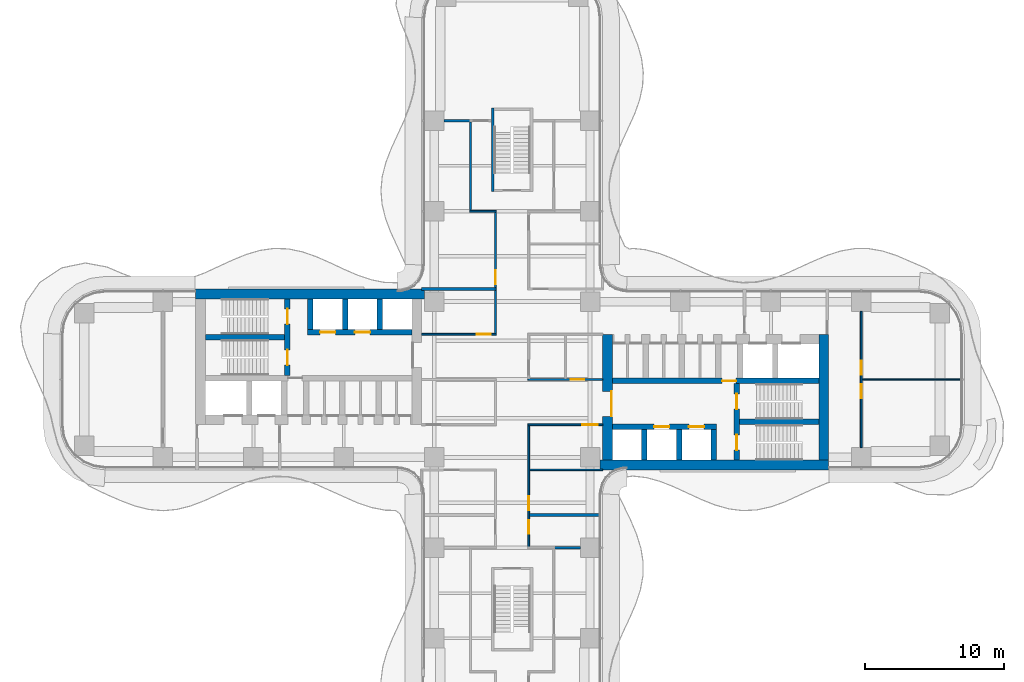
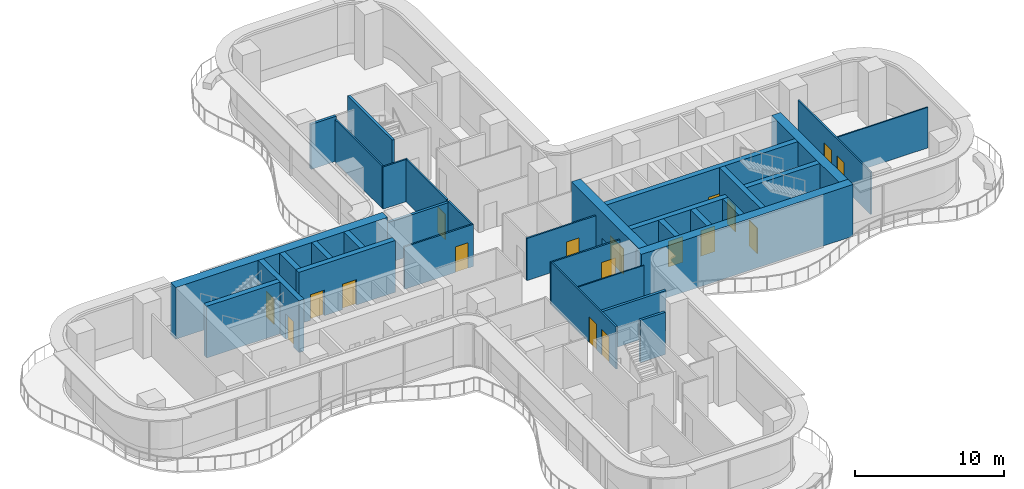
# One storey, part 18 of 22: 33 walls, 18 doors, 18 openings.
"""IFC4 building model written with IfcOpenShell, lengths in metres."""

from ifc_helpers import new_model, si_unit, direction, frame, frame_2d, origin, place, context, subcontext, project, spatial, rectangle, extrude, source, transform, mapped, material, layer, layer_set, type_object, element, fill, save


model = new_model("IFC4")

# Units and contexts
model_context = context("Model", 3, precision=1e-05, world=origin(), true_north=direction((0.0, 1.0)))
body_context = subcontext(model_context, "Body", "Model", "MODEL_VIEW")
ifc_project = project(units=[si_unit("LENGTHUNIT", "METRE"), si_unit("AREAUNIT", "SQUARE_METRE"), si_unit("VOLUMEUNIT", "CUBIC_METRE"), si_unit("PLANEANGLEUNIT", "RADIAN"), si_unit("MASSUNIT", "GRAM", prefix="KILO")], contexts=[model_context])

# Site, building, storey
site_placement = place(None, origin())
site = spatial("IfcSite", under=ifc_project, at=site_placement, CompositionType="ELEMENT")
building_placement = place(site_placement, origin())
building = spatial("IfcBuilding", under=site, at=building_placement, Name="Trellis Farm Tower", CompositionType="ELEMENT")
storey_placement = place(building_placement, frame((0.0, 0.0, 52.0)))
storey = spatial("IfcBuildingStorey", under=building, at=storey_placement, Name="L10", CompositionType="ELEMENT", Elevation=52.0)

# Wall, opening, door
ifc_material_1 = material(Name="Concrete C80/95", Category="concrete")
ifc_layer_1 = layer(ifc_material_1, 0.699951171875)
ifc_layer_set_1 = layer_set([ifc_layer_1], Name="CORE OUTER WALL 700 CONCRETE C80/95")
wall_type_1 = type_object("IfcWallType", Name="CORE OUTER WALL 700 CONCRETE C80/95", PredefinedType="SHEAR", material=ifc_layer_set_1)
shared_shape_1 = source(origin(), body_context, "Body", "SweptSolid", [
    extrude(rectangle(XDim=9.050048828125, YDim=0.699951171875, at=frame_2d((4.52490234375, 0.0))), origin(), (0.0, 0.0, 1.0), 4.25),
])
wall_1_placement = place(storey_placement, frame((6.85009765625, -5.800048828125, 0.0), z_axis=(0.0, 0.0, 1.0), x_axis=(0.0, 1.0, 0.0)))
wall_1 = element("IfcWall", 1, at=wall_1_placement, inside=storey, type_object=wall_type_1, Name="Core wall", PredefinedType="SHEAR", context=body_context, shape_type="MappedRepresentation", body=[
    mapped(shared_shape_1, transform((0.0, 0.0, 0.0))),
])
shared_shape_2 = source(origin(), body_context, "Body", "SweptSolid", [
    extrude(rectangle(XDim=1.800048828125, YDim=2.10009765625, at=frame_2d((0.89990234375, 1.050048828125))), frame((0.0, 0.360107421875, 0.0), z_axis=(0.0, -1.0, 0.0), x_axis=(1.0, 0.0, 0.0)), (0.0, 0.0, 1.0), 0.72021484375),
])
opening_1_placement = place(wall_1_placement, frame((3.14990234375, 0.0, 0.0)))
opening_1 = element("IfcOpeningElement", 2, at=opening_1_placement, cuts=wall_1, Name="Opening DC1", PredefinedType="OPENING", context=body_context, shape_type="MappedRepresentation", body=[
    mapped(shared_shape_2, transform((0.0, 0.0, 0.0))),
])
ifc_material_2 = material(Name="Steel", Category="steel")
door_type_1 = type_object("IfcDoorType", Name="CORE FIRE DOOR DOUBLE 1800 X 2100", OperationType="DOUBLE_DOOR_SINGLE_SWING", PredefinedType="DOOR", material=ifc_material_2)
shared_shape_3 = source(origin(), body_context, "Body", "SweptSolid", [
    extrude(rectangle(XDim=1.800048828125, YDim=2.10009765625, at=frame_2d((0.89990234375, 1.050048828125))), frame((0.0, -0.27490234375, 0.0), z_axis=(0.0, -1.0, 0.0), x_axis=(1.0, 0.0, 0.0)), (0.0, 0.0, 1.0), 0.050048828125),
])
door_1_placement = place(opening_1_placement, origin())
door_1 = element("IfcDoor", 3, at=door_1_placement, inside=storey, type_object=door_type_1, Name="Core door", OperationType="DOUBLE_DOOR_SINGLE_SWING", OverallHeight=2.10009765625, OverallWidth=1.800048828125, PredefinedType="DOOR", context=body_context, shape_type="MappedRepresentation", body=[
    mapped(shared_shape_3, transform((0.0, 0.0, 0.0))),
])
fill(opening_1, door_1)

# Walls
wall_2_placement = place(storey_placement, frame((22.39990234375, -5.800048828125, 0.0), z_axis=(0.0, 0.0, 1.0), x_axis=(0.0, 1.0, 0.0)))
element("IfcWall", 4, at=wall_2_placement, inside=storey, type_object=wall_type_1, Name="Core wall", PredefinedType="SHEAR", context=body_context, shape_type="MappedRepresentation", body=[
    mapped(shared_shape_1, transform((0.0, 0.0, 0.0))),
])
ifc_layer_2 = layer(ifc_material_1, 0.39990234375)
ifc_layer_set_2 = layer_set([ifc_layer_2], Name="CORE INNER WALL 400 CONCRETE C80/95")
wall_type_2 = type_object("IfcWallType", Name="CORE INNER WALL 400 CONCRETE C80/95", PredefinedType="SHEAR", material=ifc_layer_set_2)
shared_shape_4 = source(origin(), body_context, "Body", "SweptSolid", [
    extrude(rectangle(XDim=2.199951171875, YDim=0.39990234375, at=frame_2d((1.10009765625, 0.0))), origin(), (0.0, 0.0, 1.0), 4.25),
])
for number, where, z_axis, x_axis, name in (
    (5, (9.5, -5.800048828125, 0.0), (0.0, 0.0, 1.0), (0.0, 1.0, 0.0), "Core wall"),
    (6, (12.0, -5.800048828125, 0.0), (0.0, 0.0, 1.0), (0.0, 1.0, 0.0), "Core wall"),
    (7, (14.5, -5.800048828125, 0.0), (0.0, 0.0, 1.0), (0.0, 1.0, 0.0), "Core wall"),
    (8, (-9.5, 5.800048828125, 0.0), (0.0, 0.0, 1.0), (0.0, -1.0, 0.0), "Core wall"),
    (9, (-12.0, 5.800048828125, 0.0), (0.0, 0.0, 1.0), (0.0, -1.0, 0.0), "Core wall"),
    (10, (-14.5, 5.800048828125, 0.0), (0.0, 0.0, 1.0), (0.0, -1.0, 0.0), "Core wall"),
):
    element("IfcWall", number, at=place(storey_placement, frame(where, z_axis=z_axis, x_axis=x_axis)), inside=storey, type_object=wall_type_2, Name=name, PredefinedType="SHEAR", context=body_context, shape_type="MappedRepresentation", body=[
        mapped(shared_shape_4, transform((0.0, 0.0, 0.0))),
    ])
shared_shape_5 = source(origin(), body_context, "Body", "SweptSolid", [
    extrude(rectangle(XDim=16.449951171875, YDim=0.699951171875, at=frame_2d((8.22509765625, 0.0))), origin(), (0.0, 0.0, 1.0), 4.25),
])
for number, where, z_axis, x_axis, name in (
    (11, (6.300048828125, -6.14990234375, 0.0), (0.0, 0.0, 1.0), (1.0, 0.0, 0.0), "Core wall"),
    (12, (-6.300048828125, 6.14990234375, 0.0), (0.0, 0.0, 1.0), (-1.0, 0.0, 0.0), "Core wall"),
):
    element("IfcWall", number, at=place(storey_placement, frame(where, z_axis=z_axis, x_axis=x_axis)), inside=storey, type_object=wall_type_1, Name=name, PredefinedType="SHEAR", context=body_context, shape_type="MappedRepresentation", body=[
        mapped(shared_shape_5, transform((0.0, 0.0, 0.0))),
    ])

# Wall, openings, doors
shared_shape_6 = source(origin(), body_context, "Body", "SweptSolid", [
    extrude(rectangle(XDim=7.5, YDim=0.39990234375, at=frame_2d((3.75, 0.0))), origin(), (0.0, 0.0, 1.0), 4.25),
])
wall_3_placement = place(storey_placement, frame((7.199951171875, -3.39990234375, 0.0), z_axis=(0.0, 0.0, 1.0), x_axis=(1.0, 0.0, 0.0)))
wall_3 = element("IfcWall", 13, at=wall_3_placement, inside=storey, type_object=wall_type_2, Name="Core wall", PredefinedType="SHEAR", context=body_context, shape_type="MappedRepresentation", body=[
    mapped(shared_shape_6, transform((0.0, 0.0, 0.0))),
])
shared_shape_7 = source(origin(), body_context, "Body", "SweptSolid", [
    extrude(rectangle(XDim=1.10009765625, YDim=2.10009765625, at=frame_2d((0.550048828125, 1.050048828125))), frame((0.0, 0.2099609375, 0.0), z_axis=(0.0, -1.0, 0.0), x_axis=(1.0, 0.0, 0.0)), (0.0, 0.0, 1.0), 0.419921875),
])
opening_2_placement = place(wall_3_placement, frame((3.0, 0.0, 0.0)))
opening_2 = element("IfcOpeningElement", 14, at=opening_2_placement, cuts=wall_3, Name="Opening LD2", PredefinedType="OPENING", context=body_context, shape_type="MappedRepresentation", body=[
    mapped(shared_shape_7, transform((0.0, 0.0, 0.0))),
])
opening_3_placement = place(wall_3_placement, frame((5.5, 0.0, 0.0)))
opening_3 = element("IfcOpeningElement", 15, at=opening_3_placement, cuts=wall_3, Name="Opening LD3", PredefinedType="OPENING", context=body_context, shape_type="MappedRepresentation", body=[
    mapped(shared_shape_7, transform((0.0, 0.0, 0.0))),
])
ifc_material_3 = material(Name="Stainless steel", Category="steel")
door_type_2 = type_object("IfcDoorType", Name="LIFT LANDING DOOR 1100 X 2100", OperationType="DOUBLE_DOOR_SLIDING", PredefinedType="DOOR", material=ifc_material_3)
shared_shape_8 = source(origin(), body_context, "Body", "SweptSolid", [
    extrude(rectangle(XDim=1.10009765625, YDim=2.10009765625, at=frame_2d((0.550048828125, 1.050048828125))), frame((0.0, 0.02490234375, 0.0), z_axis=(0.0, -1.0, 0.0), x_axis=(1.0, 0.0, 0.0)), (0.0, 0.0, 1.0), 0.050048828125),
])
door_2_placement = place(opening_2_placement, origin())
door_2 = element("IfcDoor", 16, at=door_2_placement, inside=storey, type_object=door_type_2, Name="Lift landing door", OperationType="DOUBLE_DOOR_SLIDING", OverallHeight=2.10009765625, OverallWidth=1.10009765625, PredefinedType="DOOR", context=body_context, shape_type="MappedRepresentation", body=[
    mapped(shared_shape_8, transform((0.0, 0.0, 0.0))),
])
fill(opening_2, door_2)
door_3_placement = place(opening_3_placement, origin())
door_3 = element("IfcDoor", 17, at=door_3_placement, inside=storey, type_object=door_type_2, Name="Lift landing door", OperationType="DOUBLE_DOOR_SLIDING", OverallHeight=2.10009765625, OverallWidth=1.10009765625, PredefinedType="DOOR", context=body_context, shape_type="MappedRepresentation", body=[
    mapped(shared_shape_8, transform((0.0, 0.0, 0.0))),
])
fill(opening_3, door_3)

wall_4_placement = place(storey_placement, frame((-7.199951171875, 3.39990234375, 0.0), z_axis=(0.0, 0.0, 1.0), x_axis=(-1.0, 0.0, 0.0)))
wall_4 = element("IfcWall", 18, at=wall_4_placement, inside=storey, type_object=wall_type_2, Name="Core wall", PredefinedType="SHEAR", context=body_context, shape_type="MappedRepresentation", body=[
    mapped(shared_shape_6, transform((0.0, 0.0, 0.0))),
])
opening_4_placement = place(wall_4_placement, frame((3.0, 0.0, 0.0)))
opening_4 = element("IfcOpeningElement", 19, at=opening_4_placement, cuts=wall_4, Name="Opening LD10", PredefinedType="OPENING", context=body_context, shape_type="MappedRepresentation", body=[
    mapped(shared_shape_7, transform((0.0, 0.0, 0.0))),
])
opening_5_placement = place(wall_4_placement, frame((5.5, 0.0, 0.0)))
opening_5 = element("IfcOpeningElement", 20, at=opening_5_placement, cuts=wall_4, Name="Opening LD11", PredefinedType="OPENING", context=body_context, shape_type="MappedRepresentation", body=[
    mapped(shared_shape_7, transform((0.0, 0.0, 0.0))),
])
door_4_placement = place(opening_4_placement, origin())
door_4 = element("IfcDoor", 21, at=door_4_placement, inside=storey, type_object=door_type_2, Name="Lift landing door", OperationType="DOUBLE_DOOR_SLIDING", OverallHeight=2.10009765625, OverallWidth=1.10009765625, PredefinedType="DOOR", context=body_context, shape_type="MappedRepresentation", body=[
    mapped(shared_shape_8, transform((0.0, 0.0, 0.0))),
])
fill(opening_4, door_4)
door_5_placement = place(opening_5_placement, origin())
door_5 = element("IfcDoor", 22, at=door_5_placement, inside=storey, type_object=door_type_2, Name="Lift landing door", OperationType="DOUBLE_DOOR_SLIDING", OverallHeight=2.10009765625, OverallWidth=1.10009765625, PredefinedType="DOOR", context=body_context, shape_type="MappedRepresentation", body=[
    mapped(shared_shape_8, transform((0.0, 0.0, 0.0))),
])
fill(opening_5, door_5)

# Wall, opening, door
shared_shape_9 = source(origin(), body_context, "Body", "SweptSolid", [
    extrude(rectangle(XDim=14.85009765625, YDim=0.39990234375, at=frame_2d((7.425048828125, 0.0))), origin(), (0.0, 0.0, 1.0), 4.25),
])
wall_5_placement = place(storey_placement, frame((7.199951171875, -0.10009765625, 0.0), z_axis=(0.0, 0.0, 1.0), x_axis=(1.0, 0.0, 0.0)))
wall_5 = element("IfcWall", 23, at=wall_5_placement, inside=storey, type_object=wall_type_2, Name="Core wall", PredefinedType="SHEAR", context=body_context, shape_type="MappedRepresentation", body=[
    mapped(shared_shape_9, transform((0.0, 0.0, 0.0))),
])
shared_shape_10 = source(origin(), body_context, "Body", "SweptSolid", [
    extrude(rectangle(XDim=1.0, YDim=2.10009765625, at=frame_2d((0.5, 1.050048828125))), frame((0.0, 0.2099609375, 0.0), z_axis=(0.0, -1.0, 0.0), x_axis=(1.0, 0.0, 0.0)), (0.0, 0.0, 1.0), 0.419921875),
])
opening_6_placement = place(wall_5_placement, frame((7.89990234375, 0.0, 0.0)))
opening_6 = element("IfcOpeningElement", 24, at=opening_6_placement, cuts=wall_5, Name="Opening DC5", PredefinedType="OPENING", context=body_context, shape_type="MappedRepresentation", body=[
    mapped(shared_shape_10, transform((0.0, 0.0, 0.0))),
])
door_type_3 = type_object("IfcDoorType", Name="CORE FIRE DOOR 1000 X 2100", OperationType="NOTDEFINED", PredefinedType="DOOR", material=ifc_material_2)
shared_shape_11 = source(origin(), body_context, "Body", "SweptSolid", [
    extrude(rectangle(XDim=1.0, YDim=2.10009765625, at=frame_2d((0.5, 1.050048828125))), frame((0.0, 0.02490234375, 0.0), z_axis=(0.0, -1.0, 0.0), x_axis=(1.0, 0.0, 0.0)), (0.0, 0.0, 1.0), 0.050048828125),
])
door_6_placement = place(opening_6_placement, origin())
door_6 = element("IfcDoor", 25, at=door_6_placement, inside=storey, type_object=door_type_3, Name="Core door", OperationType="SINGLE_SWING_RIGHT", OverallHeight=2.10009765625, OverallWidth=1.0, PredefinedType="DOOR", context=body_context, shape_type="MappedRepresentation", body=[
    mapped(shared_shape_11, transform((0.0, 0.0, 0.0))),
])
fill(opening_6, door_6)

# Wall, openings, doors
shared_shape_12 = source(origin(), body_context, "Body", "SweptSolid", [
    extrude(rectangle(XDim=5.5, YDim=0.39990234375, at=frame_2d((2.75, 0.0))), origin(), (0.0, 0.0, 1.0), 4.25),
])
wall_6_placement = place(storey_placement, frame((16.14990234375, -5.800048828125, 0.0), z_axis=(0.0, 0.0, 1.0), x_axis=(0.0, 1.0, 0.0)))
wall_6 = element("IfcWall", 26, at=wall_6_placement, inside=storey, type_object=wall_type_2, Name="Core wall", PredefinedType="SHEAR", context=body_context, shape_type="MappedRepresentation", body=[
    mapped(shared_shape_12, transform((0.0, 0.0, 0.0))),
])
opening_7_placement = place(wall_6_placement, frame((0.72509765625, 0.0, 0.0)))
opening_7 = element("IfcOpeningElement", 27, at=opening_7_placement, cuts=wall_6, Name="Opening DC2", PredefinedType="OPENING", context=body_context, shape_type="MappedRepresentation", body=[
    mapped(shared_shape_7, transform((0.0, 0.0, 0.0))),
])
opening_8_placement = place(wall_6_placement, frame((3.675048828125, 0.0, 0.0)))
opening_8 = element("IfcOpeningElement", 28, at=opening_8_placement, cuts=wall_6, Name="Opening DC3", PredefinedType="OPENING", context=body_context, shape_type="MappedRepresentation", body=[
    mapped(shared_shape_7, transform((0.0, 0.0, 0.0))),
])
door_type_4 = type_object("IfcDoorType", Name="CORE FIRE DOOR 1100 X 2100", OperationType="NOTDEFINED", PredefinedType="DOOR", material=ifc_material_2)
door_7_placement = place(opening_7_placement, origin())
door_7 = element("IfcDoor", 29, at=door_7_placement, inside=storey, type_object=door_type_4, Name="Core door", OperationType="SINGLE_SWING_RIGHT", OverallHeight=2.10009765625, OverallWidth=1.10009765625, PredefinedType="DOOR", context=body_context, shape_type="MappedRepresentation", body=[
    mapped(shared_shape_8, transform((0.0, 0.0, 0.0))),
])
fill(opening_7, door_7)
door_8_placement = place(opening_8_placement, origin())
door_8 = element("IfcDoor", 30, at=door_8_placement, inside=storey, type_object=door_type_4, Name="Core door", OperationType="SINGLE_SWING_LEFT", OverallHeight=2.10009765625, OverallWidth=1.10009765625, PredefinedType="DOOR", context=body_context, shape_type="MappedRepresentation", body=[
    mapped(shared_shape_8, transform((0.0, 0.0, 0.0))),
])
fill(opening_8, door_8)

wall_7_placement = place(storey_placement, frame((-16.14990234375, 5.800048828125, 0.0), z_axis=(0.0, 0.0, 1.0), x_axis=(0.0, -1.0, 0.0)))
wall_7 = element("IfcWall", 31, at=wall_7_placement, inside=storey, type_object=wall_type_2, Name="Core wall", PredefinedType="SHEAR", context=body_context, shape_type="MappedRepresentation", body=[
    mapped(shared_shape_12, transform((0.0, 0.0, 0.0))),
])
opening_9_placement = place(wall_7_placement, frame((0.72509765625, 0.0, 0.0)))
opening_9 = element("IfcOpeningElement", 32, at=opening_9_placement, cuts=wall_7, Name="Opening DC88", PredefinedType="OPENING", context=body_context, shape_type="MappedRepresentation", body=[
    mapped(shared_shape_7, transform((0.0, 0.0, 0.0))),
])
opening_10_placement = place(wall_7_placement, frame((3.675048828125, 0.0, 0.0)))
opening_10 = element("IfcOpeningElement", 33, at=opening_10_placement, cuts=wall_7, Name="Opening DC89", PredefinedType="OPENING", context=body_context, shape_type="MappedRepresentation", body=[
    mapped(shared_shape_7, transform((0.0, 0.0, 0.0))),
])
door_9_placement = place(opening_9_placement, origin())
door_9 = element("IfcDoor", 34, at=door_9_placement, inside=storey, type_object=door_type_4, Name="Core door", OperationType="SINGLE_SWING_RIGHT", OverallHeight=2.10009765625, OverallWidth=1.10009765625, PredefinedType="DOOR", context=body_context, shape_type="MappedRepresentation", body=[
    mapped(shared_shape_8, transform((0.0, 0.0, 0.0))),
])
fill(opening_9, door_9)
door_10_placement = place(opening_10_placement, origin())
door_10 = element("IfcDoor", 35, at=door_10_placement, inside=storey, type_object=door_type_4, Name="Core door", OperationType="SINGLE_SWING_LEFT", OverallHeight=2.10009765625, OverallWidth=1.10009765625, PredefinedType="DOOR", context=body_context, shape_type="MappedRepresentation", body=[
    mapped(shared_shape_8, transform((0.0, 0.0, 0.0))),
])
fill(opening_10, door_10)

# Walls
shared_shape_13 = source(origin(), body_context, "Body", "SweptSolid", [
    extrude(rectangle(XDim=5.699951171875, YDim=0.39990234375, at=frame_2d((2.85009765625, 0.0))), origin(), (0.0, 0.0, 1.0), 4.25),
])
for number, where, z_axis, x_axis, name in (
    (36, (16.35009765625, -3.050048828125, 0.0), (0.0, 0.0, 1.0), (1.0, 0.0, 0.0), "Core wall"),
    (37, (-16.35009765625, 3.050048828125, 0.0), (0.0, 0.0, 1.0), (-1.0, 0.0, 0.0), "Core wall"),
):
    element("IfcWall", number, at=place(storey_placement, frame(where, z_axis=z_axis, x_axis=x_axis)), inside=storey, type_object=wall_type_2, Name=name, PredefinedType="SHEAR", context=body_context, shape_type="MappedRepresentation", body=[
        mapped(shared_shape_13, transform((0.0, 0.0, 0.0))),
    ])
ifc_layer_3 = layer(ifc_material_1, 0.199951171875)
ifc_layer_set_3 = layer_set([ifc_layer_3], Name="CORE STAIR ENCLOSURE WALL 200 CONCRETE C80/95")
wall_type_3 = type_object("IfcWallType", Name="CORE STAIR ENCLOSURE WALL 200 CONCRETE C80/95", PredefinedType="SHEAR", material=ifc_layer_set_3)
shared_shape_14 = source(origin(), body_context, "Body", "SweptSolid", [
    extrude(rectangle(XDim=6.0, YDim=0.199951171875, at=frame_2d((3.0, 0.0))), origin(), (0.0, 0.0, 1.0), 4.25),
])
wall_8_placement = place(storey_placement, frame((-1.39990234375, 13.5, 0.0), z_axis=(0.0, 0.0, 1.0), x_axis=(0.0, 1.0, 0.0)))
element("IfcWall", 38, at=wall_8_placement, inside=storey, type_object=wall_type_3, Name="Stair enclosure wall", PredefinedType="SHEAR", context=body_context, shape_type="MappedRepresentation", body=[
    mapped(shared_shape_14, transform((0.0, 0.0, 0.0))),
])

# Wall, openings, doors
ifc_material_4 = material(Name="Plasterboard on steel studs, mineral wool", Category="steel")
ifc_layer_4 = layer(ifc_material_4, 0.125)
ifc_layer_set_4 = layer_set([ifc_layer_4], Name="PARTITION 125 STUD EI 60")
wall_type_4 = type_object("IfcWallType", Name="PARTITION 125 STUD EI 60", PredefinedType="PARTITIONING", material=ifc_layer_set_4)
shared_shape_15 = source(origin(), body_context, "Body", "SweptSolid", [
    extrude(rectangle(XDim=9.7998046875, YDim=0.125, at=frame_2d((4.89990234375, 0.0))), origin(), (0.0, 0.0, 1.0), 3.4677734375),
])
wall_9_placement = place(storey_placement, frame((25.10009765625, 4.89990234375, 0.0), z_axis=(0.0, 0.0, 1.0), x_axis=(0.0, -1.0, 0.0)))
wall_9 = element("IfcWall", 39, at=wall_9_placement, inside=storey, type_object=wall_type_4, Name="Partition PW1", PredefinedType="PARTITIONING", context=body_context, shape_type="MappedRepresentation", body=[
    mapped(shared_shape_15, transform((0.0, 0.0, 0.0))),
])
shared_shape_16 = source(origin(), body_context, "Body", "SweptSolid", [
    extrude(rectangle(XDim=1.0, YDim=2.10009765625, at=frame_2d((0.5, 1.050048828125))), frame((0.0, 0.072509765625, 0.0), z_axis=(0.0, -1.0, 0.0), x_axis=(1.0, 0.0, 0.0)), (0.0, 0.0, 1.0), 0.14501953125),
])
opening_11_placement = place(wall_9_placement, frame((5.25, 0.0, 0.0)))
opening_11 = element("IfcOpeningElement", 40, at=opening_11_placement, cuts=wall_9, Name="Opening D108", PredefinedType="OPENING", context=body_context, shape_type="MappedRepresentation", body=[
    mapped(shared_shape_16, transform((0.0, 0.0, 0.0))),
])
opening_12_placement = place(wall_9_placement, frame((3.550048828125, 0.0, 0.0)))
opening_12 = element("IfcOpeningElement", 41, at=opening_12_placement, cuts=wall_9, Name="Opening D111", PredefinedType="OPENING", context=body_context, shape_type="MappedRepresentation", body=[
    mapped(shared_shape_16, transform((0.0, 0.0, 0.0))),
])
ifc_material_5 = material(Name="Fire-rated timber door leaf in a hollow metal frame", Category="wood")
door_type_5 = type_object("IfcDoorType", Name="DOOR 1000x2100 FD30S", OperationType="NOTDEFINED", PredefinedType="DOOR", material=ifc_material_5)
door_11_placement = place(opening_11_placement, origin())
door_11 = element("IfcDoor", 42, at=door_11_placement, inside=storey, type_object=door_type_5, Name="Door D108", OperationType="SINGLE_SWING_LEFT", OverallHeight=2.10009765625, OverallWidth=1.0, PredefinedType="DOOR", context=body_context, shape_type="MappedRepresentation", body=[
    mapped(shared_shape_11, transform((0.0, 0.0, 0.0))),
])
fill(opening_11, door_11)
door_12_placement = place(opening_12_placement, origin())
door_12 = element("IfcDoor", 43, at=door_12_placement, inside=storey, type_object=door_type_5, Name="Door D111", OperationType="SINGLE_SWING_RIGHT", OverallHeight=2.10009765625, OverallWidth=1.0, PredefinedType="DOOR", context=body_context, shape_type="MappedRepresentation", body=[
    mapped(shared_shape_11, transform((0.0, 0.0, 0.0))),
])
fill(opening_12, door_12)

# Wall
shared_shape_17 = source(origin(), body_context, "Body", "SweptSolid", [
    extrude(rectangle(XDim=1.925048828125, YDim=0.125, at=frame_2d((0.96240234375, 0.0))), origin(), (0.0, 0.0, 1.0), 3.4677734375),
])
wall_10_placement = place(storey_placement, frame((-1.137451171875, 12.10009765625, 0.0), z_axis=(0.0, 0.0, 1.0), x_axis=(-1.0, 0.0, 0.0)))
element("IfcWall", 44, at=wall_10_placement, inside=storey, type_object=wall_type_4, Name="Partition PW1", PredefinedType="PARTITIONING", context=body_context, shape_type="MappedRepresentation", body=[
    mapped(shared_shape_17, transform((0.0, 0.0, 0.0))),
])

# Wall, opening, door
shared_shape_18 = source(origin(), body_context, "Body", "SweptSolid", [
    extrude(rectangle(XDim=5.362548828125, YDim=0.125, at=frame_2d((2.68115234375, 0.0))), origin(), (0.0, 0.0, 1.0), 3.4677734375),
])
wall_11_placement = place(storey_placement, frame((6.5, -3.25, 0.0), z_axis=(0.0, 0.0, 1.0), x_axis=(-1.0, 0.0, 0.0)))
wall_11 = element("IfcWall", 45, at=wall_11_placement, inside=storey, type_object=wall_type_4, Name="Partition PW1", PredefinedType="PARTITIONING", context=body_context, shape_type="MappedRepresentation", body=[
    mapped(shared_shape_18, transform((0.0, 0.0, 0.0))),
])
shared_shape_19 = source(origin(), body_context, "Body", "SweptSolid", [
    extrude(rectangle(XDim=1.10009765625, YDim=2.10009765625, at=frame_2d((0.550048828125, 1.050048828125))), frame((0.0, 0.072509765625, 0.0), z_axis=(0.0, -1.0, 0.0), x_axis=(1.0, 0.0, 0.0)), (0.0, 0.0, 1.0), 0.14501953125),
])
opening_13_placement = place(wall_11_placement, frame((0.35009765625, 0.0, 0.0)))
opening_13 = element("IfcOpeningElement", 46, at=opening_13_placement, cuts=wall_11, Name="Opening D501", PredefinedType="OPENING", context=body_context, shape_type="MappedRepresentation", body=[
    mapped(shared_shape_19, transform((0.0, 0.0, 0.0))),
])
door_type_6 = type_object("IfcDoorType", Name="DOOR 1100x2100 FD30S", OperationType="NOTDEFINED", PredefinedType="DOOR", material=ifc_material_5)
door_13_placement = place(opening_13_placement, origin())
door_13 = element("IfcDoor", 47, at=door_13_placement, inside=storey, type_object=door_type_6, Name="Door D501", OperationType="SINGLE_SWING_LEFT", OverallHeight=2.10009765625, OverallWidth=1.10009765625, PredefinedType="DOOR", context=body_context, shape_type="MappedRepresentation", body=[
    mapped(shared_shape_8, transform((0.0, 0.0, 0.0))),
])
fill(opening_13, door_13)

wall_12_placement = place(storey_placement, frame((6.5, 0.0, 0.0), z_axis=(0.0, 0.0, 1.0), x_axis=(-1.0, 0.0, 0.0)))
wall_12 = element("IfcWall", 48, at=wall_12_placement, inside=storey, type_object=wall_type_4, Name="Partition PW1", PredefinedType="PARTITIONING", context=body_context, shape_type="MappedRepresentation", body=[
    mapped(shared_shape_18, transform((0.0, 0.0, 0.0))),
])
opening_14_placement = place(wall_12_placement, frame((1.300048828125, 0.0, 0.0)))
opening_14 = element("IfcOpeningElement", 49, at=opening_14_placement, cuts=wall_12, Name="Opening D109", PredefinedType="OPENING", context=body_context, shape_type="MappedRepresentation", body=[
    mapped(shared_shape_16, transform((0.0, 0.0, 0.0))),
])
door_14_placement = place(opening_14_placement, origin())
door_14 = element("IfcDoor", 50, at=door_14_placement, inside=storey, type_object=door_type_5, Name="Door D109", OperationType="SINGLE_SWING_RIGHT", OverallHeight=2.10009765625, OverallWidth=1.0, PredefinedType="DOOR", context=body_context, shape_type="MappedRepresentation", body=[
    mapped(shared_shape_11, transform((0.0, 0.0, 0.0))),
])
fill(opening_14, door_14)

wall_13_placement = place(storey_placement, frame((-6.5, 3.25, 0.0), z_axis=(0.0, 0.0, 1.0), x_axis=(1.0, 0.0, 0.0)))
wall_13 = element("IfcWall", 51, at=wall_13_placement, inside=storey, type_object=wall_type_4, Name="Partition PW1", PredefinedType="PARTITIONING", context=body_context, shape_type="MappedRepresentation", body=[
    mapped(shared_shape_18, transform((0.0, 0.0, 0.0))),
])
opening_15_placement = place(wall_13_placement, frame((3.949951171875, 0.0, 0.0)))
opening_15 = element("IfcOpeningElement", 52, at=opening_15_placement, cuts=wall_13, Name="Opening D112", PredefinedType="OPENING", context=body_context, shape_type="MappedRepresentation", body=[
    mapped(shared_shape_16, transform((0.0, 0.0, 0.0))),
])
door_15_placement = place(opening_15_placement, origin())
door_15 = element("IfcDoor", 53, at=door_15_placement, inside=storey, type_object=door_type_5, Name="Door D112", OperationType="SINGLE_SWING_RIGHT", OverallHeight=2.10009765625, OverallWidth=1.0, PredefinedType="DOOR", context=body_context, shape_type="MappedRepresentation", body=[
    mapped(shared_shape_11, transform((0.0, 0.0, 0.0))),
])
fill(opening_15, door_15)

# Wall
ifc_material_6 = material(Name="Lightweight blockwork, plastered", Category="masonry")
ifc_layer_5 = layer(ifc_material_6, 0.199951171875)
ifc_layer_set_5 = layer_set([ifc_layer_5], Name="BLOCK WALL 200 EI 120")
wall_type_5 = type_object("IfcWallType", Name="BLOCK WALL 200 EI 120", PredefinedType="PARTITIONING", material=ifc_layer_set_5)
shared_shape_20 = source(origin(), body_context, "Body", "SweptSolid", [
    extrude(rectangle(XDim=1.96240234375, YDim=0.199951171875, at=frame_2d((0.981201171875, 0.0))), origin(), (0.0, 0.0, 1.0), 3.4677734375),
])
wall_14_placement = place(storey_placement, frame((2.9375, -12.10009765625, 0.0), z_axis=(0.0, 0.0, 1.0), x_axis=(1.0, 0.0, 0.0)))
element("IfcWall", 54, at=wall_14_placement, inside=storey, type_object=wall_type_5, Name="Partition PW3", PredefinedType="PARTITIONING", context=body_context, shape_type="MappedRepresentation", body=[
    mapped(shared_shape_20, transform((0.0, 0.0, 0.0))),
])

# Wall, openings, doors
shared_shape_21 = source(origin(), body_context, "Body", "SweptSolid", [
    extrude(rectangle(XDim=8.72509765625, YDim=0.125, at=frame_2d((4.362548828125, 0.0))), origin(), (0.0, 0.0, 1.0), 3.4677734375),
])
wall_15_placement = place(storey_placement, frame((1.199951171875, -3.3125, 0.0), z_axis=(0.0, 0.0, 1.0), x_axis=(0.0, -1.0, 0.0)))
wall_15 = element("IfcWall", 55, at=wall_15_placement, inside=storey, type_object=wall_type_4, Name="Partition PW1", PredefinedType="PARTITIONING", context=body_context, shape_type="MappedRepresentation", body=[
    mapped(shared_shape_21, transform((0.0, 0.0, 0.0))),
])
opening_16_placement = place(wall_15_placement, frame((6.78759765625, 0.0, 0.0)))
opening_16 = element("IfcOpeningElement", 56, at=opening_16_placement, cuts=wall_15, Name="Opening D103", PredefinedType="OPENING", context=body_context, shape_type="MappedRepresentation", body=[
    mapped(shared_shape_16, transform((0.0, 0.0, 0.0))),
])
opening_17_placement = place(wall_15_placement, frame((5.08740234375, 0.0, 0.0)))
opening_17 = element("IfcOpeningElement", 57, at=opening_17_placement, cuts=wall_15, Name="Opening D104", PredefinedType="OPENING", context=body_context, shape_type="MappedRepresentation", body=[
    mapped(shared_shape_16, transform((0.0, 0.0, 0.0))),
])
door_16_placement = place(opening_16_placement, origin())
door_16 = element("IfcDoor", 58, at=door_16_placement, inside=storey, type_object=door_type_5, Name="Door D103", OperationType="SINGLE_SWING_LEFT", OverallHeight=2.10009765625, OverallWidth=1.0, PredefinedType="DOOR", context=body_context, shape_type="MappedRepresentation", body=[
    mapped(shared_shape_11, transform((0.0, 0.0, 0.0))),
])
fill(opening_16, door_16)
door_17_placement = place(opening_17_placement, origin())
door_17 = element("IfcDoor", 59, at=door_17_placement, inside=storey, type_object=door_type_5, Name="Door D104", OperationType="SINGLE_SWING_RIGHT", OverallHeight=2.10009765625, OverallWidth=1.0, PredefinedType="DOOR", context=body_context, shape_type="MappedRepresentation", body=[
    mapped(shared_shape_11, transform((0.0, 0.0, 0.0))),
])
fill(opening_17, door_17)

# Walls
ifc_material_7 = material(Name="Plasterboard on steel studs", Category="steel")
ifc_layer_6 = layer(ifc_material_7, 0.10009765625)
ifc_layer_set_6 = layer_set([ifc_layer_6], Name="PARTITION 100 STUD EI 30")
wall_type_6 = type_object("IfcWallType", Name="PARTITION 100 STUD EI 30", PredefinedType="PARTITIONING", material=ifc_layer_set_6)
shared_shape_22 = source(origin(), body_context, "Body", "SweptSolid", [
    extrude(rectangle(XDim=7.137451171875, YDim=0.10009765625, at=frame_2d((3.56884765625, 0.0))), origin(), (0.0, 0.0, 1.0), 3.330078125),
])
wall_16_placement = place(storey_placement, frame((25.16259765625, 0.0, 0.0), z_axis=(0.0, 0.0, 1.0), x_axis=(1.0, 0.0, 0.0)))
element("IfcWall", 60, at=wall_16_placement, inside=storey, type_object=wall_type_6, Name="Partition PW2", PredefinedType="PARTITIONING", context=body_context, shape_type="MappedRepresentation", body=[
    mapped(shared_shape_22, transform((0.0, 0.0, 0.0))),
])
shared_shape_23 = source(origin(), body_context, "Body", "SweptSolid", [
    extrude(rectangle(XDim=1.96240234375, YDim=0.199951171875, at=frame_2d((0.981201171875, 0.0))), origin(), (0.0, 0.0, 1.0), 3.69677734375),
])
wall_17_placement = place(storey_placement, frame((-4.89990234375, 18.60009765625, 0.0), z_axis=(0.0, 0.0, 1.0), x_axis=(1.0, 0.0, 0.0)))
element("IfcWall", 61, at=wall_17_placement, inside=storey, type_object=wall_type_5, Name="Partition PW3", PredefinedType="PARTITIONING", context=body_context, shape_type="MappedRepresentation", body=[
    mapped(shared_shape_23, transform((0.0, 0.0, 0.0))),
])
shared_shape_24 = source(origin(), body_context, "Body", "SweptSolid", [
    extrude(rectangle(XDim=5.03759765625, YDim=0.199951171875, at=frame_2d((2.518798828125, 0.0))), origin(), (0.0, 0.0, 1.0), 3.330078125),
])
wall_18_placement = place(storey_placement, frame((1.262451171875, -9.75, 0.0), z_axis=(0.0, 0.0, 1.0), x_axis=(1.0, 0.0, 0.0)))
element("IfcWall", 62, at=wall_18_placement, inside=storey, type_object=wall_type_5, Name="Partition PW3", PredefinedType="PARTITIONING", context=body_context, shape_type="MappedRepresentation", body=[
    mapped(shared_shape_24, transform((0.0, 0.0, 0.0))),
])
shared_shape_25 = source(origin(), body_context, "Body", "SweptSolid", [
    extrude(rectangle(XDim=6.33740234375, YDim=0.125, at=frame_2d((3.168701171875, 0.0))), origin(), (0.0, 0.0, 1.0), 3.4677734375),
])
wall_19_placement = place(storey_placement, frame((-3.0, 12.16259765625, 0.0), z_axis=(0.0, 0.0, 1.0), x_axis=(0.0, 1.0, 0.0)))
element("IfcWall", 63, at=wall_19_placement, inside=storey, type_object=wall_type_4, Name="Partition PW1", PredefinedType="PARTITIONING", context=body_context, shape_type="MappedRepresentation", body=[
    mapped(shared_shape_25, transform((0.0, 0.0, 0.0))),
])
shared_shape_26 = source(origin(), body_context, "Body", "SweptSolid", [
    extrude(rectangle(XDim=3.08740234375, YDim=0.125, at=frame_2d((1.543701171875, 0.0))), origin(), (0.0, 0.0, 1.0), 3.4677734375),
])
wall_20_placement = place(storey_placement, frame((-1.199951171875, 6.39990234375, 0.0), z_axis=(0.0, 0.0, 1.0), x_axis=(0.0, -1.0, 0.0)))
element("IfcWall", 64, at=wall_20_placement, inside=storey, type_object=wall_type_4, Name="Partition PW1", PredefinedType="PARTITIONING", context=body_context, shape_type="MappedRepresentation", body=[
    mapped(shared_shape_26, transform((0.0, 0.0, 0.0))),
])

# Wall, opening, door
shared_shape_27 = source(origin(), body_context, "Body", "SweptSolid", [
    extrude(rectangle(XDim=5.4375, YDim=0.125, at=frame_2d((2.71875, 0.0))), origin(), (0.0, 0.0, 1.0), 3.4677734375),
])
wall_21_placement = place(storey_placement, frame((-1.199951171875, 6.60009765625, 0.0), z_axis=(0.0, 0.0, 1.0), x_axis=(0.0, 1.0, 0.0)))
wall_21 = element("IfcWall", 65, at=wall_21_placement, inside=storey, type_object=wall_type_4, Name="Partition PW1", PredefinedType="PARTITIONING", context=body_context, shape_type="MappedRepresentation", body=[
    mapped(shared_shape_27, transform((0.0, 0.0, 0.0))),
])
opening_18_placement = place(wall_21_placement, frame((0.25, 0.0, 0.0)))
opening_18 = element("IfcOpeningElement", 66, at=opening_18_placement, cuts=wall_21, Name="Opening D302", PredefinedType="OPENING", context=body_context, shape_type="MappedRepresentation", body=[
    mapped(shared_shape_16, transform((0.0, 0.0, 0.0))),
])
door_type_7 = type_object("IfcDoorType", Name="DOOR 1000x2100 FD60", OperationType="NOTDEFINED", PredefinedType="DOOR", material=ifc_material_5)
door_18_placement = place(opening_18_placement, origin())
door_18 = element("IfcDoor", 67, at=door_18_placement, inside=storey, type_object=door_type_7, Name="Door D302", OperationType="SINGLE_SWING_LEFT", OverallHeight=2.10009765625, OverallWidth=1.0, PredefinedType="DOOR", context=body_context, shape_type="MappedRepresentation", body=[
    mapped(shared_shape_11, transform((0.0, 0.0, 0.0))),
])
fill(opening_18, door_18)

# Walls
shared_shape_28 = source(origin(), body_context, "Body", "SweptSolid", [
    extrude(rectangle(XDim=5.237548828125, YDim=0.10009765625, at=frame_2d((2.61865234375, 0.0))), origin(), (0.0, 0.0, 1.0), 3.330078125),
])
wall_22_placement = place(storey_placement, frame((1.262451171875, -6.5, 0.0), z_axis=(0.0, 0.0, 1.0), x_axis=(1.0, 0.0, 0.0)))
element("IfcWall", 68, at=wall_22_placement, inside=storey, type_object=wall_type_6, Name="Partition PW2", PredefinedType="PARTITIONING", context=body_context, shape_type="MappedRepresentation", body=[
    mapped(shared_shape_28, transform((0.0, 0.0, 0.0))),
])
shared_shape_29 = source(origin(), body_context, "Body", "SweptSolid", [
    extrude(rectangle(XDim=5.362548828125, YDim=0.199951171875, at=frame_2d((2.68115234375, 0.0))), origin(), (0.0, 0.0, 1.0), 3.330078125),
])
wall_23_placement = place(storey_placement, frame((-6.5, 6.5, 0.0), z_axis=(0.0, 0.0, 1.0), x_axis=(1.0, 0.0, 0.0)))
element("IfcWall", 69, at=wall_23_placement, inside=storey, type_object=wall_type_5, Name="Partition PW3", PredefinedType="PARTITIONING", context=body_context, shape_type="MappedRepresentation", body=[
    mapped(shared_shape_29, transform((0.0, 0.0, 0.0))),
])

save(model, "model.ifc")
